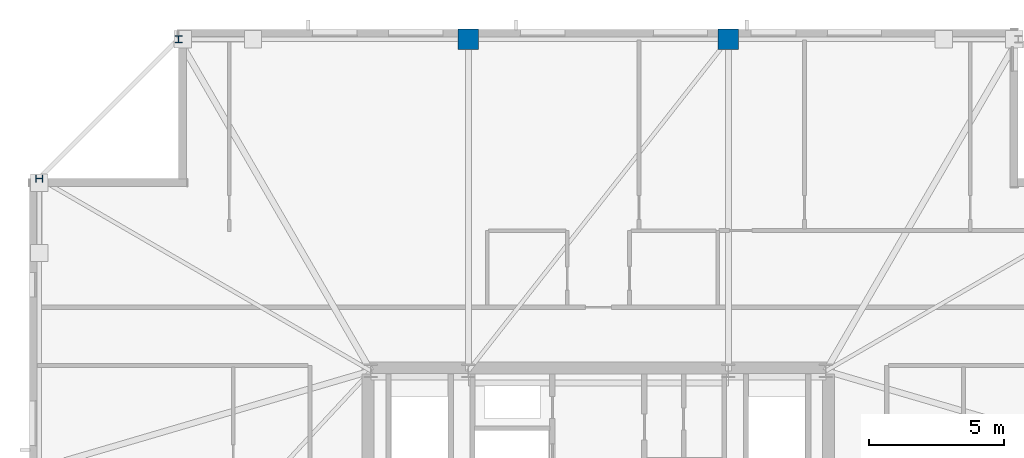
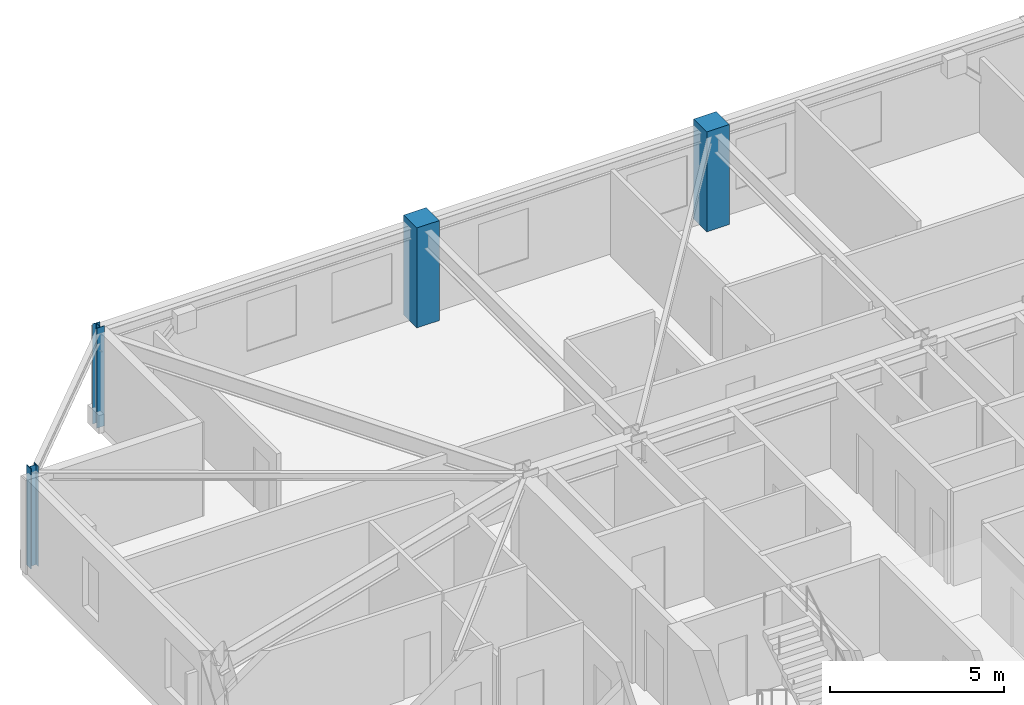
# One storey, part 4 of 15: 4 columns.
"""IFC4 building model written with IfcOpenShell, lengths in metres."""

import ifcopenshell
import ifcopenshell.guid

model = None  # the IFC model being written
_history = None  # IfcOwnerHistory: only IFC2X3 demands one
_inside = {}  # id of a spatial element -> (the spatial element, [elements in it])
_under = {}  # id of a project, library or spatial element -> (it, [spatial elements below it])
_declared = {}  # id of a project -> (the project, [libraries it declares])
_typed = {}  # id of a type object -> (the type object, [elements of that type])
_made_of = {}  # id of a material, layer set ... -> (it, [elements and type objects made of it])


def new_model(schema):
    """Start an empty IFC model of exactly this schema.

    Asked for "IFC4X3", IfcOpenShell would pick the latest addendum, in which some entities
    have other attributes; the version numbers below select the first issue.
    IFC2X3 requires an IfcOwnerHistory on every rooted entity: one is made here for all.
    """
    global model, _history
    if schema == "IFC4X3":
        model = ifcopenshell.file(schema_version=(4, 3, 0, 0))
    else:
        model = ifcopenshell.file(schema=schema)
    _inside.clear()
    _under.clear()
    _declared.clear()
    _typed.clear()
    _made_of.clear()
    _history = None
    if model.schema == "IFC2X3":
        org = make("IfcOrganization", Name="unknown")
        user = make(
            "IfcPersonAndOrganization",
            ThePerson=make("IfcPerson", FamilyName="unknown"),
            TheOrganization=org,
        )
        app = make(
            "IfcApplication",
            ApplicationDeveloper=org,
            Version="unknown",
            ApplicationFullName="unknown",
            ApplicationIdentifier="unknown",
        )
        _history = make(
            "IfcOwnerHistory",
            OwningUser=user,
            OwningApplication=app,
            ChangeAction="ADDED",
            CreationDate=0,
        )
    return model


def make(cls, **values):
    """One entity of the class cls with the attributes given. An attribute that is None is left unset."""
    return model.create_entity(
        cls, **{name: value for name, value in values.items() if value is not None}
    )


def rooted(cls, **values):
    """An entity with a GlobalId (a new one), such as an element, a storey or a relation."""
    return make(cls, GlobalId=ifcopenshell.guid.new(), OwnerHistory=_history, **values)


def si_unit(unit_type, name, prefix=None):
    """IfcSIUnit, for example si_unit("LENGTHUNIT", "METRE", prefix="MILLI")."""
    return make("IfcSIUnit", UnitType=unit_type, Prefix=prefix, Name=name)


def assignment(units):
    """IfcUnitAssignment: the units of a project."""
    return None if units is None else make("IfcUnitAssignment", Units=units)


def point(xyz):
    """IfcCartesianPoint."""
    return None if xyz is None else make("IfcCartesianPoint", Coordinates=xyz)


def direction(xyz):
    """IfcDirection."""
    return None if xyz is None else make("IfcDirection", DirectionRatios=xyz)


def frame(location, z_axis=None, x_axis=None):
    """IfcAxis2Placement3D, a coordinate frame: its origin and axes. An axis left out is left unset."""
    return make(
        "IfcAxis2Placement3D",
        Location=point(location),
        Axis=direction(z_axis),
        RefDirection=direction(x_axis),
    )


def frame_2d(location, x_axis=None):
    """IfcAxis2Placement2D, a coordinate frame in the plane: its origin and x axis."""
    return make(
        "IfcAxis2Placement2D", Location=point(location), RefDirection=direction(x_axis)
    )


def origin():
    """The frame at (0, 0, 0) with its axes left unset."""
    return frame((0.0, 0.0, 0.0))


def origin_2d():
    """The frame at (0, 0) in the plane with its x axis left unset."""
    return frame_2d((0.0, 0.0))


def place(relative_to, where):
    """IfcLocalPlacement: puts the frame where relative to a parent placement (None: the world)."""
    return make(
        "IfcLocalPlacement", PlacementRelTo=relative_to, RelativePlacement=where
    )


def context(
    kind, dimensions, precision=None, world=None, true_north=None, identifier=None
):
    """IfcGeometricRepresentationContext, for example the 3D "Model" context."""
    return make(
        "IfcGeometricRepresentationContext",
        ContextIdentifier=identifier,
        ContextType=kind,
        CoordinateSpaceDimension=dimensions,
        Precision=precision,
        WorldCoordinateSystem=world,
        TrueNorth=true_north,
    )


def subcontext(parent, identifier, kind, view, scale=None):
    """IfcGeometricRepresentationSubContext, for example "Body" below "Model"."""
    return make(
        "IfcGeometricRepresentationSubContext",
        ContextIdentifier=identifier,
        ContextType=kind,
        ParentContext=parent,
        TargetScale=scale,
        TargetView=view,
    )


def project(units=None, contexts=None):
    """IfcProject with its units and contexts."""
    return rooted(
        "IfcProject",
        Name="project",
        RepresentationContexts=contexts,
        UnitsInContext=assignment(units),
    )


def spatial(cls, under=None, at=None, **own):
    """A site, building, storey or space (cls), placed at a placement, below another one or the project."""
    s = rooted(cls, ObjectPlacement=at, **own)
    if under is not None:
        _under.setdefault(under.id(), (under, []))[1].append(s)
    return s


def profile(cls, at=None, kind="AREA", **sizes):
    """A parametric profile (cls). Its sizes go by their IFC names, for example OverallWidth=200.0."""
    return make(cls, ProfileType=kind, Position=at, **sizes)


def rectangle(**sizes):
    """IfcRectangleProfileDef."""
    return profile("IfcRectangleProfileDef", **sizes)


def i_section(**sizes):
    """IfcIShapeProfileDef."""
    return profile("IfcIShapeProfileDef", **sizes)


def extrude(swept, where, along, depth):
    """IfcExtrudedAreaSolid: the profile swept, set in the frame where, extruded along a direction by depth."""
    return make(
        "IfcExtrudedAreaSolid",
        SweptArea=swept,
        Position=where,
        ExtrudedDirection=direction(along),
        Depth=depth,
    )


def shape(context_of_items, identifier, shape_type, items):
    """IfcShapeRepresentation: the items that make up one representation, for example the "Body"."""
    return make(
        "IfcShapeRepresentation",
        ContextOfItems=context_of_items,
        RepresentationIdentifier=identifier,
        RepresentationType=shape_type,
        Items=items,
    )


def material(Name=None, Category=None):
    """IfcMaterial."""
    return make("IfcMaterial", Name=Name, Category=Category)


def material_profile(
    of_material, cross_section, Name=None, Category=None, Priority=None
):
    """IfcMaterialProfile: a cross section and its material."""
    return make(
        "IfcMaterialProfile",
        Name=Name,
        Material=of_material,
        Profile=cross_section,
        Priority=Priority,
        Category=Category,
    )


def profile_set(profiles, Name=None, composite=None):
    """IfcMaterialProfileSet."""
    return make(
        "IfcMaterialProfileSet",
        Name=Name,
        MaterialProfiles=profiles,
        CompositeProfile=composite,
    )


def made_of(thing, what):
    """Note that an element or type object is made of a material, layer set ...; save() writes the relation."""
    if what is not None:
        _made_of.setdefault(what.id(), (what, []))[1].append(thing)
    return thing


def type_object(cls, material=None, **own):
    """A type object (cls), such as IfcWallType, which elements share."""
    return made_of(rooted(cls, **own), material)


def element(
    cls,
    number,
    at=None,
    inside=None,
    cuts=None,
    type_object=None,
    material=None,
    context=None,
    identifier="Body",
    shape_type=None,
    held_by="IfcProductDefinitionShape",
    body=None,
    shapes=None,
    **own,
):
    """One element of the class cls, such as IfcWall. Its Tag is "e" and its number.

    at: its placement. inside: the storey or other place that contains it. cuts: it is an
    opening in that element (IfcRelVoidsElement). A single representation is given by context,
    identifier, shape_type and body (its items); several are given by shapes. held_by: the class
    of the entity that holds the representations. save() writes the other relations.
    """
    e = rooted(cls, Tag="e%d" % number, ObjectPlacement=at, **own)
    if body is not None:
        shapes = [shape(context, identifier, shape_type, body)]
    if shapes is not None:
        e.Representation = make(held_by, Representations=shapes)
    if inside is not None:
        _inside.setdefault(inside.id(), (inside, []))[1].append(e)
    if cuts is not None:
        rooted(
            "IfcRelVoidsElement", RelatingBuildingElement=cuts, RelatedOpeningElement=e
        )
    if type_object is not None:
        _typed.setdefault(type_object.id(), (type_object, []))[1].append(e)
    return made_of(e, material)


def aggregate(whole, parts):
    """IfcRelAggregates: a whole, such as a stair, and the parts it consists of."""
    return rooted("IfcRelAggregates", RelatingObject=whole, RelatedObjects=parts)


def save(model, path):
    """Write the relations noted so far, then the file.

    IfcRelAggregates (storeys below a building ...), IfcRelContainedInSpatialStructure (elements
    in a storey), IfcRelDefinesByType, IfcRelAssociatesMaterial and IfcRelDeclares: one each for
    every whole, place, type object, material and project.
    """
    for whole, parts in _under.values():
        aggregate(whole, parts)
    for where, things in _inside.values():
        rooted(
            "IfcRelContainedInSpatialStructure",
            RelatedElements=things,
            RelatingStructure=where,
        )
    for kind, things in _typed.values():
        rooted("IfcRelDefinesByType", RelatedObjects=things, RelatingType=kind)
    for what, things in _made_of.values():
        rooted("IfcRelAssociatesMaterial", RelatedObjects=things, RelatingMaterial=what)
    for by, libraries in _declared.values():
        rooted("IfcRelDeclares", RelatingContext=by, RelatedDefinitions=libraries)
    model.write(path)


model = new_model("IFC4")

# Units and contexts
model_context = context("Model", 3, precision=1e-05, world=origin(), true_north=direction((0.0, 1.0)))
body_context = subcontext(model_context, "Body", "Model", "MODEL_VIEW")
ifc_project = project(units=[si_unit("LENGTHUNIT", "METRE"), si_unit("AREAUNIT", "SQUARE_METRE"), si_unit("VOLUMEUNIT", "CUBIC_METRE"), si_unit("PLANEANGLEUNIT", "RADIAN"), si_unit("MASSUNIT", "GRAM", prefix="KILO")], contexts=[model_context])

# Site, building, storey
site_placement = place(None, origin())
site = spatial("IfcSite", under=ifc_project, at=site_placement, CompositionType="ELEMENT")
building_placement = place(site_placement, origin())
building = spatial("IfcBuilding", under=site, at=building_placement, Name="Cairnveth Concourse Tower", CompositionType="ELEMENT")
storey_placement = place(building_placement, frame((0.0, 0.0, 284.0)))
storey = spatial("IfcBuildingStorey", under=building, at=storey_placement, Name="L78", CompositionType="ELEMENT", Elevation=284.0)

# Columns
ifc_material_1 = material(Name="Concrete N50 (50 MPa)", Category="concrete")
ifc_material_profile_1 = material_profile(ifc_material_1, rectangle(XDim=0.75, YDim=0.75, at=origin_2d()), Name="RC-COL-750x750")
ifc_profile_set_1 = profile_set([ifc_material_profile_1], Name="Concrete N50 (50 MPa)")
column_type_1 = type_object("IfcColumnType", Name="PERIMETER PIER COLUMN 750X750", PredefinedType="COLUMN", material=ifc_profile_set_1)
for number, where, z_axis, x_axis, name in (
    (1, (56.800048828125, 59.64990234375, 0.0), (0.0, 0.0, 1.0), (1.0, 0.0, 0.0), "Column P-N2 L78"),
    (2, (47.199951171875, 59.64990234375, 0.0), (0.0, 0.0, 1.0), (1.0, 0.0, 0.0), "Column P-N3 L78"),
):
    element("IfcColumn", number, at=place(storey_placement, frame(where, z_axis=z_axis, x_axis=x_axis)), inside=storey, type_object=column_type_1, Name=name, PredefinedType="COLUMN", context=body_context, shape_type="SweptSolid", body=[
        extrude(rectangle(XDim=0.75, YDim=0.75, at=origin_2d()), origin(), (0.0, 0.0, 1.0), 3.5),
    ])
ifc_material_2 = material(Name="Steel Grade 350", Category="steel")
ifc_material_profile_2 = material_profile(ifc_material_2, i_section(OverallWidth=0.25390625, OverallDepth=0.25390625, WebThickness=0.008544921875, FlangeThickness=0.01416015625, FilletRadius=0.012939453125, at=origin_2d()), Name="250UC72.9")
ifc_profile_set_2 = profile_set([ifc_material_profile_2], Name="Steel Grade 350")
column_type_2 = type_object("IfcColumnType", Name="UNIVERSAL STEEL COLUMN 250UC72.9", PredefinedType="COLUMN", material=ifc_profile_set_2)
for number, where, z_axis, x_axis, name in (
    (3, (36.5, 59.64990234375, 0.0), (0.0, 0.0, 1.0), (1.0, 0.0, 0.0), "Column P-N4 L78"),
    (4, (31.35009765625, 54.5, 0.0), (0.0, 0.0, 1.0), (0.0, 1.0, 0.0), "Column P-W1 L78"),
):
    element("IfcColumn", number, at=place(storey_placement, frame(where, z_axis=z_axis, x_axis=x_axis)), inside=storey, type_object=column_type_2, Name=name, PredefinedType="COLUMN", context=body_context, shape_type="SweptSolid", body=[
        extrude(i_section(OverallWidth=0.25390625, OverallDepth=0.25390625, WebThickness=0.008544921875, FlangeThickness=0.01416015625, FilletRadius=0.012939453125, at=origin_2d()), origin(), (0.0, 0.0, 1.0), 3.5),
    ])

save(model, "model.ifc")
